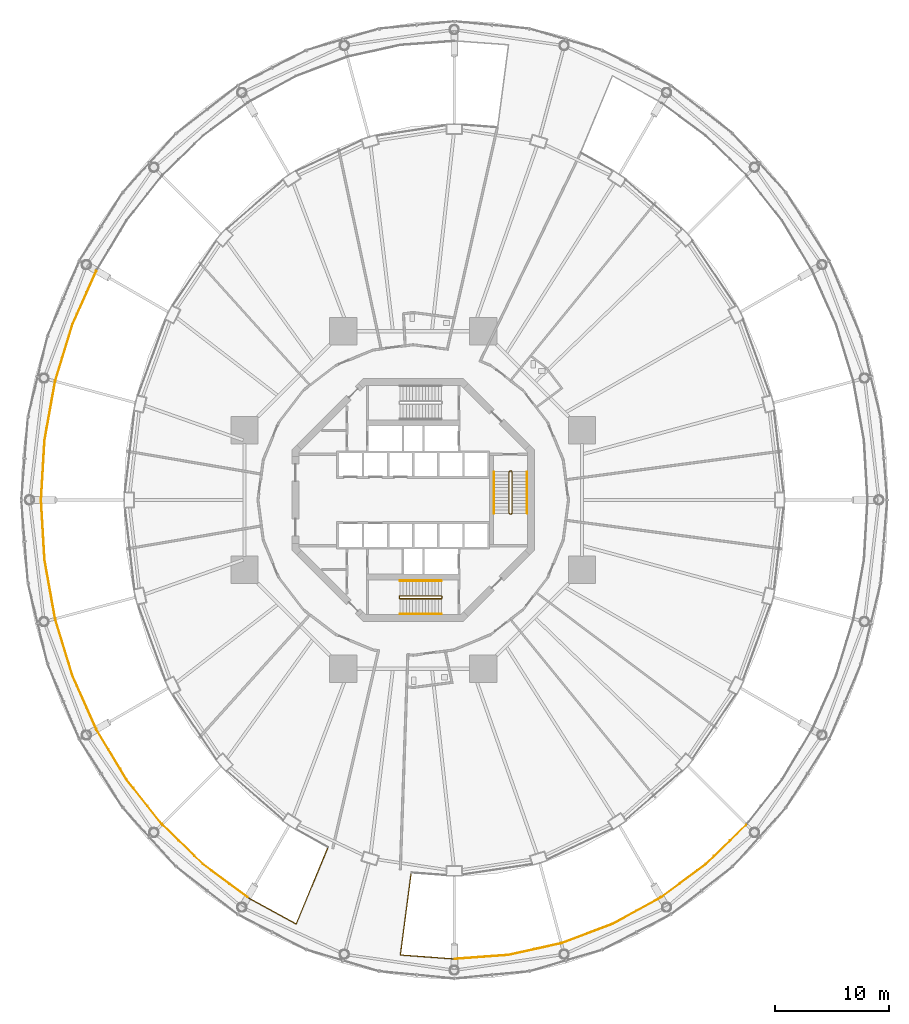
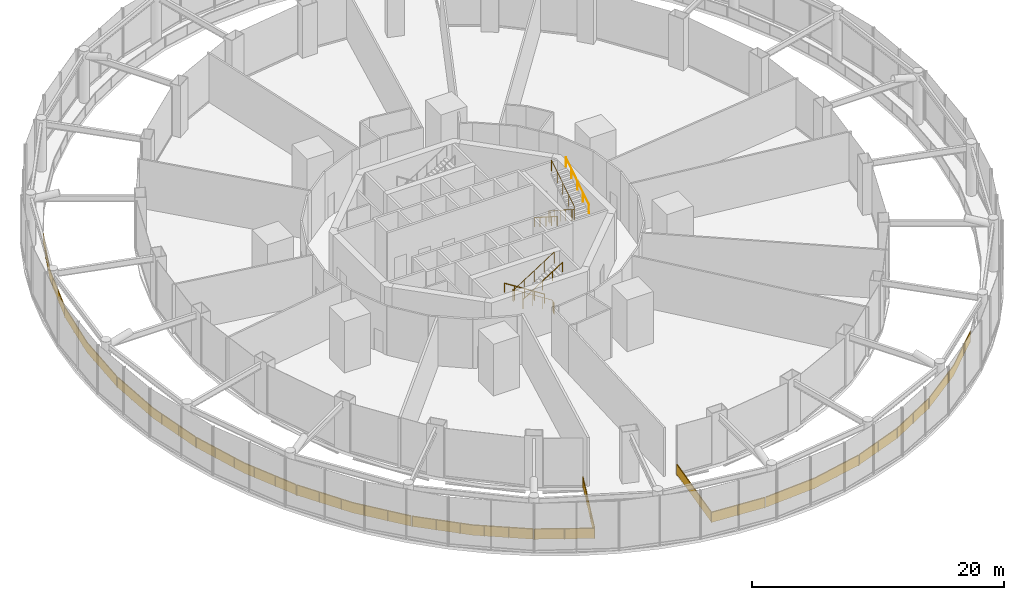
# One storey, part 50 of 52: 17 railings.
"""IFC4 building model written with IfcOpenShell, lengths in metres."""

from ifc_helpers import new_model, si_unit, direction, frame, origin, origin_2d, place, context, subcontext, project, spatial, polyline, rectangle, circle, outline, extrude, material, type_object, element, save


model = new_model("IFC4")

# Units and contexts
model_context = context("Model", 3, precision=1e-05, world=origin(), true_north=direction((0.0, 1.0)))
body_context = subcontext(model_context, "Body", "Model", "MODEL_VIEW")
ifc_project = project(units=[si_unit("LENGTHUNIT", "METRE"), si_unit("AREAUNIT", "SQUARE_METRE"), si_unit("VOLUMEUNIT", "CUBIC_METRE"), si_unit("PLANEANGLEUNIT", "RADIAN"), si_unit("MASSUNIT", "GRAM", prefix="KILO")], contexts=[model_context])

# Site, building, storey
site_placement = place(None, origin())
site = spatial("IfcSite", under=ifc_project, at=site_placement, CompositionType="ELEMENT")
building_placement = place(site_placement, origin())
building = spatial("IfcBuilding", under=site, at=building_placement, Name="Nagisa Residences", CompositionType="ELEMENT")
storey_placement = place(building_placement, frame((0.0, 0.0, 22.0)))
storey = spatial("IfcBuildingStorey", under=building, at=storey_placement, Name="L04", CompositionType="ELEMENT", Elevation=22.0)

# Railings
ifc_material_1 = material(Name="Stainless steel 316", Category="steel")
railing_type_1 = type_object("IfcRailingType", Name="ROOF GUARD 1100", PredefinedType="GUARDRAIL", material=ifc_material_1)
railing_1_placement = place(storey_placement, frame((-27.766357421875, 20.0634765625, 0.0)))
element("IfcRailing", 1, at=railing_1_placement, inside=storey, type_object=railing_type_1, Name="guard:L04:gal0-05", PredefinedType="GUARDRAIL", context=body_context, shape_type="SweptSolid", body=[
    extrude(outline(polyline([(-2.0546875, -4.6884765625), (0.02294921875, -0.01025390625), (-0.02294921875, 0.01025390625), (-2.1015625, -4.6708984375), (-3.6123046875, -9.61328125), (-3.564453125, -9.6279296875), (-2.0546875, -4.6884765625)])), frame((0.0, 0.0, 1.050048828125)), (0.0, 0.0, 1.0), 0.050048828125),
    extrude(outline(polyline([(-2.071533203125, -4.68212890625), (0.00634765625, -0.0029296875), (-0.00634765625, 0.0029296875), (-2.084716796875, -4.67724609375), (-3.594970703125, -9.61865234375), (-3.581787109375, -9.62255859375), (-2.071533203125, -4.68212890625)])), frame((0.0, 0.0, 0.06005859375)), (0.0, 0.0, 1.0), 0.989990234375),
    extrude(rectangle(XDim=0.0400390625, YDim=0.0400390625, at=origin_2d()), origin(), (0.0, 0.0, 1.0), 1.050048828125),
    extrude(rectangle(XDim=0.0400390625, YDim=0.0400390625, at=origin_2d()), frame((-0.8349609375, -1.88037109375, 0.0)), (0.0, 0.0, 1.0), 1.050048828125),
    extrude(rectangle(XDim=0.0400390625, YDim=0.0400390625, at=origin_2d()), frame((-1.669921875, -3.7607421875, 0.0)), (0.0, 0.0, 1.0), 1.050048828125),
    extrude(rectangle(XDim=0.0400390625, YDim=0.0400390625, at=origin_2d()), frame((-2.385498046875, -5.685546875, 0.0)), (0.0, 0.0, 1.0), 1.050048828125),
    extrude(rectangle(XDim=0.0400390625, YDim=0.0400390625, at=origin_2d()), frame((-2.987060546875, -7.653076171875, 0.0)), (0.0, 0.0, 1.0), 1.050048828125),
    extrude(rectangle(XDim=0.0400390625, YDim=0.0400390625, at=origin_2d()), frame((-3.58837890625, -9.62060546875, 0.0)), (0.0, 0.0, 1.0), 1.050048828125),
])
railing_2_placement = place(storey_placement, frame((-31.37353515625, 10.365234375, 0.0)))
element("IfcRailing", 2, at=railing_2_placement, inside=storey, type_object=railing_type_1, Name="guard:L04:gal0-06", PredefinedType="GUARDRAIL", context=body_context, shape_type="SweptSolid", body=[
    extrude(outline(polyline([(-0.891845703125, -5.12109375), (0.024658203125, -0.00439453125), (-0.024658203125, 0.00439453125), (-0.941650390625, -5.115234375), (-1.2490234375, -10.32373046875), (-1.19921875, -10.32666015625), (-0.891845703125, -5.12109375)])), frame((0.0, 0.0, 1.050048828125)), (0.0, 0.0, 1.0), 0.050048828125),
    extrude(outline(polyline([(-0.90966796875, -5.118896484375), (0.0068359375, -0.001220703125), (-0.0068359375, 0.001220703125), (-0.923828125, -5.117431640625), (-1.231201171875, -10.32470703125), (-1.217041015625, -10.32568359375), (-0.90966796875, -5.118896484375)])), frame((0.0, 0.0, 0.06005859375)), (0.0, 0.0, 1.0), 0.989990234375),
    extrude(rectangle(XDim=0.0400390625, YDim=0.0400390625, at=origin_2d()), origin(), (0.0, 0.0, 1.0), 1.050048828125),
    extrude(rectangle(XDim=0.0400390625, YDim=0.0400390625, at=origin_2d()), frame((-0.3671875, -2.050537109375, 0.0)), (0.0, 0.0, 1.0), 1.050048828125),
    extrude(rectangle(XDim=0.0400390625, YDim=0.0400390625, at=origin_2d()), frame((-0.734619140625, -4.10107421875, 0.0)), (0.0, 0.0, 1.0), 1.050048828125),
    extrude(rectangle(XDim=0.0400390625, YDim=0.0400390625, at=origin_2d()), frame((-0.978515625, -6.166259765625, 0.0)), (0.0, 0.0, 1.0), 1.050048828125),
    extrude(rectangle(XDim=0.0400390625, YDim=0.0400390625, at=origin_2d()), frame((-1.101318359375, -8.24560546875, 0.0)), (0.0, 0.0, 1.0), 1.050048828125),
    extrude(rectangle(XDim=0.0400390625, YDim=0.0400390625, at=origin_2d()), frame((-1.22412109375, -10.3251953125, 0.0)), (0.0, 0.0, 1.0), 1.050048828125),
])
railing_3_placement = place(storey_placement, frame((-32.59765625, -0.0400390625, 0.0)))
element("IfcRailing", 3, at=railing_3_placement, inside=storey, type_object=railing_type_1, Name="guard:L04:gal0-07", PredefinedType="GUARDRAIL", context=body_context, shape_type="SweptSolid", body=[
    extrude(outline(polyline([(0.332275390625, -5.2041015625), (0.02490234375, 0.00146484375), (-0.02490234375, -0.00146484375), (0.282470703125, -5.2099609375), (1.199462890625, -10.32958984375), (1.248779296875, -10.32080078125), (0.332275390625, -5.2041015625)])), frame((0.0, 0.0, 1.050048828125)), (0.0, 0.0, 1.0), 0.050048828125),
    extrude(outline(polyline([(0.314453125, -5.206298828125), (0.007080078125, 0.00048828125), (-0.007080078125, -0.00048828125), (0.30029296875, -5.207763671875), (1.21728515625, -10.326416015625), (1.23095703125, -10.323974609375), (0.314453125, -5.206298828125)])), frame((0.0, 0.0, 0.06005859375)), (0.0, 0.0, 1.0), 0.989990234375),
    extrude(rectangle(XDim=0.0400390625, YDim=0.0400390625, at=origin_2d()), origin(), (0.0, 0.0, 1.0), 1.050048828125),
    extrude(rectangle(XDim=0.0400390625, YDim=0.0400390625, at=origin_2d()), frame((0.122802734375, -2.07958984375, 0.0)), (0.0, 0.0, 1.0), 1.050048828125),
    extrude(rectangle(XDim=0.0400390625, YDim=0.0400390625, at=origin_2d()), frame((0.24560546875, -4.158935546875, 0.0)), (0.0, 0.0, 1.0), 1.050048828125),
    extrude(rectangle(XDim=0.0400390625, YDim=0.0400390625, at=origin_2d()), frame((0.489501953125, -6.22412109375, 0.0)), (0.0, 0.0, 1.0), 1.050048828125),
    extrude(rectangle(XDim=0.0400390625, YDim=0.0400390625, at=origin_2d()), frame((0.85693359375, -8.274658203125, 0.0)), (0.0, 0.0, 1.0), 1.050048828125),
    extrude(rectangle(XDim=0.0400390625, YDim=0.0400390625, at=origin_2d()), frame((1.22412109375, -10.3251953125, 0.0)), (0.0, 0.0, 1.0), 1.050048828125),
])
railing_4_placement = place(storey_placement, frame((-31.354736328125, -10.44287109375, 0.0)))
element("IfcRailing", 4, at=railing_4_placement, inside=storey, type_object=railing_type_1, Name="guard:L04:gal0-08", PredefinedType="GUARDRAIL", context=body_context, shape_type="SweptSolid", body=[
    extrude(outline(polyline([(1.53369140625, -4.93212890625), (0.02392578125, 0.00732421875), (-0.02392578125, -0.00732421875), (1.48681640625, -4.94970703125), (3.5654296875, -9.630859375), (3.611328125, -9.6103515625), (1.53369140625, -4.93212890625)])), frame((0.0, 0.0, 1.050048828125)), (0.0, 0.0, 1.0), 0.050048828125),
    extrude(outline(polyline([(1.516845703125, -4.9384765625), (0.006591796875, 0.001953125), (-0.006591796875, -0.001953125), (1.503662109375, -4.943359375), (3.58203125, -9.62353515625), (3.5947265625, -9.61767578125), (1.516845703125, -4.9384765625)])), frame((0.0, 0.0, 0.06005859375)), (0.0, 0.0, 1.0), 0.989990234375),
    extrude(rectangle(XDim=0.0400390625, YDim=0.0400390625, at=origin_2d()), origin(), (0.0, 0.0, 1.0), 1.050048828125),
    extrude(rectangle(XDim=0.0400390625, YDim=0.0400390625, at=origin_2d()), frame((0.601318359375, -1.967529296875, 0.0)), (0.0, 0.0, 1.0), 1.050048828125),
    extrude(rectangle(XDim=0.0400390625, YDim=0.0400390625, at=origin_2d()), frame((1.202880859375, -3.93505859375, 0.0)), (0.0, 0.0, 1.0), 1.050048828125),
    extrude(rectangle(XDim=0.0400390625, YDim=0.0400390625, at=origin_2d()), frame((1.91845703125, -5.85986328125, 0.0)), (0.0, 0.0, 1.0), 1.050048828125),
    extrude(rectangle(XDim=0.0400390625, YDim=0.0400390625, at=origin_2d()), frame((2.75341796875, -7.740234375, 0.0)), (0.0, 0.0, 1.0), 1.050048828125),
    extrude(rectangle(XDim=0.0400390625, YDim=0.0400390625, at=origin_2d()), frame((3.58837890625, -9.62060546875, 0.0)), (0.0, 0.0, 1.0), 1.050048828125),
])
railing_5_placement = place(storey_placement, frame((-27.7294921875, -20.13427734375, 0.0)))
element("IfcRailing", 5, at=railing_5_placement, inside=storey, type_object=railing_type_1, Name="guard:L04:gal0-09", PredefinedType="GUARDRAIL", context=body_context, shape_type="SweptSolid", body=[
    extrude(outline(polyline([(2.630615234375, -4.32373046875), (0.021484375, 0.012939453125), (-0.021484375, -0.012939453125), (2.589599609375, -4.35205078125), (5.68798828125, -8.275634765625), (5.72705078125, -8.244384765625), (2.630615234375, -4.32373046875)])), frame((0.0, 0.0, 1.050048828125)), (0.0, 0.0, 1.0), 0.050048828125),
    extrude(outline(polyline([(2.615966796875, -4.333984375), (0.006103515625, 0.003662109375), (-0.006103515625, -0.003662109375), (2.604248046875, -4.341796875), (5.701904296875, -8.264404296875), (5.713134765625, -8.255615234375), (2.615966796875, -4.333984375)])), frame((0.0, 0.0, 0.06005859375)), (0.0, 0.0, 1.0), 0.989990234375),
    extrude(rectangle(XDim=0.0400390625, YDim=0.0400390625, at=origin_2d()), origin(), (0.0, 0.0, 1.0), 1.050048828125),
    extrude(rectangle(XDim=0.0400390625, YDim=0.0400390625, at=origin_2d()), frame((1.037353515625, -1.72412109375, 0.0)), (0.0, 0.0, 1.0), 1.050048828125),
    extrude(rectangle(XDim=0.0400390625, YDim=0.0400390625, at=origin_2d()), frame((2.07470703125, -3.447998046875, 0.0)), (0.0, 0.0, 1.0), 1.050048828125),
    extrude(rectangle(XDim=0.0400390625, YDim=0.0400390625, at=origin_2d()), frame((3.21337890625, -5.10205078125, 0.0)), (0.0, 0.0, 1.0), 1.050048828125),
    extrude(rectangle(XDim=0.0400390625, YDim=0.0400390625, at=origin_2d()), frame((4.46044921875, -6.680908203125, 0.0)), (0.0, 0.0, 1.0), 1.050048828125),
    extrude(rectangle(XDim=0.0400390625, YDim=0.0400390625, at=origin_2d()), frame((5.70751953125, -8.260009765625, 0.0)), (0.0, 0.0, 1.0), 1.050048828125),
])
railing_6_placement = place(storey_placement, frame((-21.968505859375, -28.45361328125, 0.0)))
element("IfcRailing", 6, at=railing_6_placement, inside=storey, type_object=railing_type_1, Name="guard:L04:gal0-10", PredefinedType="GUARDRAIL", context=body_context, shape_type="SweptSolid", body=[
    extrude(outline(polyline([(3.547607421875, -3.420166015625), (0.017578125, 0.017822265625), (-0.017578125, -0.017822265625), (3.514892578125, -3.458251953125), (7.42138671875, -6.356689453125), (7.451171875, -6.316650390625), (3.547607421875, -3.420166015625)])), frame((0.0, 0.0, 1.050048828125)), (0.0, 0.0, 1.0), 0.050048828125),
    extrude(outline(polyline([(3.535888671875, -3.433837890625), (0.0048828125, 0.005126953125), (-0.0048828125, -0.005126953125), (3.526611328125, -3.444580078125), (7.43212890625, -6.34228515625), (7.4404296875, -6.3310546875), (3.535888671875, -3.433837890625)])), frame((0.0, 0.0, 0.06005859375)), (0.0, 0.0, 1.0), 0.989990234375),
    extrude(rectangle(XDim=0.0400390625, YDim=0.0400390625, at=origin_2d()), origin(), (0.0, 0.0, 1.0), 1.050048828125),
    extrude(rectangle(XDim=0.0400390625, YDim=0.0400390625, at=origin_2d()), frame((1.40283203125, -1.366455078125, 0.0)), (0.0, 0.0, 1.0), 1.050048828125),
    extrude(rectangle(XDim=0.0400390625, YDim=0.0400390625, at=origin_2d()), frame((2.805908203125, -2.732666015625, 0.0)), (0.0, 0.0, 1.0), 1.050048828125),
    extrude(rectangle(XDim=0.0400390625, YDim=0.0400390625, at=origin_2d()), frame((4.290771484375, -4.002685546875, 0.0)), (0.0, 0.0, 1.0), 1.050048828125),
    extrude(rectangle(XDim=0.0400390625, YDim=0.0400390625, at=origin_2d()), frame((5.863525390625, -5.169677734375, 0.0)), (0.0, 0.0, 1.0), 1.050048828125),
    extrude(rectangle(XDim=0.0400390625, YDim=0.0400390625, at=origin_2d()), frame((7.436279296875, -6.336669921875, 0.0)), (0.0, 0.0, 1.0), 1.050048828125),
])
railing_7_placement = place(storey_placement, frame((-14.46484375, -34.83349609375, 0.0)))
element("IfcRailing", 7, at=railing_7_placement, inside=storey, type_object=railing_type_1, Name="guard:L04:gal0-11", PredefinedType="GUARDRAIL", context=body_context, shape_type="SweptSolid", body=[
    extrude(outline(polyline([(4.19921875, -2.27099609375), (0.011962890625, 0.02197265625), (-0.011962890625, -0.02197265625), (4.22412109375, -2.341796875), (6.974853515625, 4.299072265625), (6.928466796875, 4.318115234375), (4.19921875, -2.27099609375)])), frame((0.0, 0.0, 1.050048828125)), (0.0, 0.0, 1.0), 0.050048828125),
    extrude(outline(polyline([(4.208251953125, -2.296630859375), (0.00341796875, 0.006103515625), (-0.00341796875, -0.006103515625), (4.215087890625, -2.316162109375), (6.9580078125, 4.305908203125), (6.9453125, 4.311279296875), (4.208251953125, -2.296630859375)])), frame((0.0, 0.0, 0.06005859375)), (0.0, 0.0, 1.0), 0.989990234375),
    extrude(rectangle(XDim=0.0400390625, YDim=0.0400390625, at=origin_2d()), origin(), (0.0, 0.0, 1.0), 1.050048828125),
    extrude(rectangle(XDim=0.0400390625, YDim=0.0400390625, at=origin_2d()), frame((2.098388671875, -1.149169921875, 0.0)), (0.0, 0.0, 1.0), 1.050048828125),
    extrude(rectangle(XDim=0.0400390625, YDim=0.0400390625, at=origin_2d()), frame((4.19677734375, -2.298095703125, 0.0)), (0.0, 0.0, 1.0), 1.050048828125),
    extrude(rectangle(XDim=0.0400390625, YDim=0.0400390625, at=origin_2d()), frame((5.12060546875, -0.11181640625, 0.0)), (0.0, 0.0, 1.0), 1.050048828125),
    extrude(rectangle(XDim=0.0400390625, YDim=0.0400390625, at=origin_2d()), frame((6.0361328125, 2.098388671875, 0.0)), (0.0, 0.0, 1.0), 1.050048828125),
    extrude(rectangle(XDim=0.0400390625, YDim=0.0400390625, at=origin_2d()), frame((6.95166015625, 4.30859375, 0.0)), (0.0, 0.0, 1.0), 1.050048828125),
])
railing_8_placement = place(storey_placement, frame((-0.1904296875, -32.75732421875, 0.0)))
element("IfcRailing", 8, at=railing_8_placement, inside=storey, type_object=railing_type_1, Name="guard:L04:gal1-00", PredefinedType="GUARDRAIL", context=body_context, shape_type="SweptSolid", body=[
    extrude(outline(polyline([(-0.90625, -7.075927734375), (0.02490234375, -0.003173828125), (-0.02490234375, 0.003173828125), (-0.962890625, -7.121826171875), (3.748779296875, -7.464599609375), (3.752197265625, -7.414794921875), (-0.90625, -7.075927734375)])), frame((0.0, 0.0, 1.050048828125)), (0.0, 0.0, 1.0), 0.050048828125),
    extrude(outline(polyline([(-0.9267578125, -7.092529296875), (0.0068359375, -0.0009765625), (-0.0068359375, 0.0009765625), (-0.9423828125, -7.105224609375), (3.75, -7.44677734375), (3.7509765625, -7.4326171875), (-0.9267578125, -7.092529296875)])), frame((0.0, 0.0, 0.06005859375)), (0.0, 0.0, 1.0), 0.989990234375),
    extrude(rectangle(XDim=0.0400390625, YDim=0.0400390625, at=origin_2d()), origin(), (0.0, 0.0, 1.0), 1.050048828125),
    extrude(rectangle(XDim=0.0400390625, YDim=0.0400390625, at=origin_2d()), frame((-0.3095703125, -2.351318359375, 0.0)), (0.0, 0.0, 1.0), 1.050048828125),
    extrude(rectangle(XDim=0.0400390625, YDim=0.0400390625, at=origin_2d()), frame((-0.619140625, -4.702392578125, 0.0)), (0.0, 0.0, 1.0), 1.050048828125),
    extrude(rectangle(XDim=0.0400390625, YDim=0.0400390625, at=origin_2d()), frame((-0.9287109375, -7.0537109375, 0.0)), (0.0, 0.0, 1.0), 1.050048828125),
    extrude(rectangle(XDim=0.0400390625, YDim=0.0400390625, at=origin_2d()), frame((1.38525390625, -7.267578125, 0.0)), (0.0, 0.0, 1.0), 1.050048828125),
    extrude(rectangle(XDim=0.0400390625, YDim=0.0400390625, at=origin_2d()), frame((3.75048828125, -7.439697265625, 0.0)), (0.0, 0.0, 1.0), 1.050048828125),
])
railing_9_placement = place(storey_placement, frame((3.639892578125, -40.197021484375, 0.0)))
element("IfcRailing", 9, at=railing_9_placement, inside=storey, type_object=railing_type_1, Name="guard:L04:gal1-01", PredefinedType="GUARDRAIL", context=body_context, shape_type="SweptSolid", body=[
    extrude(outline(polyline([(4.681396484375, 0.36572265625), (-0.001708984375, 0.02490234375), (0.001708984375, -0.02490234375), (4.688720703125, 0.31591796875), (9.295654296875, 1.333740234375), (9.284912109375, 1.382568359375), (4.681396484375, 0.36572265625)])), frame((0.0, 0.0, 1.050048828125)), (0.0, 0.0, 1.0), 0.050048828125),
    extrude(outline(polyline([(4.68408203125, 0.34765625), (-0.00048828125, 0.007080078125), (0.00048828125, -0.007080078125), (4.68603515625, 0.333984375), (9.291748046875, 1.351318359375), (9.288818359375, 1.364990234375), (4.68408203125, 0.34765625)])), frame((0.0, 0.0, 0.06005859375)), (0.0, 0.0, 1.0), 0.989990234375),
    extrude(rectangle(XDim=0.0400390625, YDim=0.0400390625, at=origin_2d()), origin(), (0.0, 0.0, 1.0), 1.050048828125),
    extrude(rectangle(XDim=0.0400390625, YDim=0.0400390625, at=origin_2d()), frame((2.34716796875, 0.170654296875, 0.0)), (0.0, 0.0, 1.0), 1.050048828125),
    extrude(rectangle(XDim=0.0400390625, YDim=0.0400390625, at=origin_2d()), frame((4.6943359375, 0.3427734375, 0.0)), (0.0, 0.0, 1.0), 1.050048828125),
    extrude(rectangle(XDim=0.0400390625, YDim=0.0400390625, at=origin_2d()), frame((6.9921875, 0.8505859375, 0.0)), (0.0, 0.0, 1.0), 1.050048828125),
    extrude(rectangle(XDim=0.0400390625, YDim=0.0400390625, at=origin_2d()), frame((9.290283203125, 1.358154296875, 0.0)), (0.0, 0.0, 1.0), 1.050048828125),
])
railing_10_placement = place(storey_placement, frame((13.006591796875, -38.816162109375, 0.0)))
element("IfcRailing", 10, at=railing_10_placement, inside=storey, type_object=railing_type_1, Name="guard:L04:gal1-02", PredefinedType="GUARDRAIL", context=body_context, shape_type="SweptSolid", body=[
    extrude(outline(polyline([(4.43603515625, 1.698974609375), (-0.0087890625, 0.0234375), (0.0087890625, -0.0234375), (4.45703125, 1.653564453125), (8.670166015625, 3.960693359375), (8.646240234375, 4.004638671875), (4.43603515625, 1.698974609375)])), frame((0.0, 0.0, 1.050048828125)), (0.0, 0.0, 1.0), 0.050048828125),
    extrude(outline(polyline([(4.443603515625, 1.6826171875), (-0.00244140625, 0.006591796875), (0.00244140625, -0.006591796875), (4.449462890625, 1.669921875), (8.66162109375, 3.9765625), (8.65478515625, 3.98876953125), (4.443603515625, 1.6826171875)])), frame((0.0, 0.0, 0.06005859375)), (0.0, 0.0, 1.0), 0.989990234375),
    extrude(rectangle(XDim=0.0400390625, YDim=0.0400390625, at=origin_2d()), origin(), (0.0, 0.0, 1.0), 1.050048828125),
    extrude(rectangle(XDim=0.0400390625, YDim=0.0400390625, at=origin_2d()), frame((2.23486328125, 0.842529296875, 0.0)), (0.0, 0.0, 1.0), 1.050048828125),
    extrude(rectangle(XDim=0.0400390625, YDim=0.0400390625, at=origin_2d()), frame((4.468505859375, 1.688232421875, 0.0)), (0.0, 0.0, 1.0), 1.050048828125),
    extrude(rectangle(XDim=0.0400390625, YDim=0.0400390625, at=origin_2d()), frame((6.563232421875, 2.83544921875, 0.0)), (0.0, 0.0, 1.0), 1.050048828125),
    extrude(rectangle(XDim=0.0400390625, YDim=0.0400390625, at=origin_2d()), frame((8.658203125, 3.982666015625, 0.0)), (0.0, 0.0, 1.0), 1.050048828125),
])
railing_11_placement = place(storey_placement, frame((21.732177734375, -34.790283203125, 0.0)))
element("IfcRailing", 11, at=railing_11_placement, inside=storey, type_object=railing_type_1, Name="guard:L04:gal1-03", PredefinedType="GUARDRAIL", context=body_context, shape_type="SweptSolid", body=[
    extrude(outline(polyline([(3.888671875, 2.91650390625), (-0.014892578125, 0.02001953125), (0.014892578125, -0.02001953125), (3.92138671875, 2.87841796875), (7.4541015625, 6.31884765625), (7.4189453125, 6.3544921875), (3.888671875, 2.91650390625)])), frame((0.0, 0.0, 1.050048828125)), (0.0, 0.0, 1.0), 0.050048828125),
    extrude(outline(polyline([(3.900390625, 2.90283203125), (-0.004150390625, 0.005615234375), (0.004150390625, -0.005615234375), (3.90966796875, 2.89208984375), (7.44140625, 6.33154296875), (7.431640625, 6.341796875), (3.900390625, 2.90283203125)])), frame((0.0, 0.0, 0.06005859375)), (0.0, 0.0, 1.0), 0.989990234375),
    extrude(rectangle(XDim=0.0400390625, YDim=0.0400390625, at=origin_2d()), origin(), (0.0, 0.0, 1.0), 1.050048828125),
    extrude(rectangle(XDim=0.0400390625, YDim=0.0400390625, at=origin_2d()), frame((1.57275390625, 1.1669921875, 0.0)), (0.0, 0.0, 1.0), 1.050048828125),
    extrude(rectangle(XDim=0.0400390625, YDim=0.0400390625, at=origin_2d()), frame((3.1455078125, 2.333984375, 0.0)), (0.0, 0.0, 1.0), 1.050048828125),
    extrude(rectangle(XDim=0.0400390625, YDim=0.0400390625, at=origin_2d()), frame((4.630615234375, 3.60400390625, 0.0)), (0.0, 0.0, 1.0), 1.050048828125),
    extrude(rectangle(XDim=0.0400390625, YDim=0.0400390625, at=origin_2d()), frame((6.033447265625, 4.97021484375, 0.0)), (0.0, 0.0, 1.0), 1.050048828125),
    extrude(rectangle(XDim=0.0400390625, YDim=0.0400390625, at=origin_2d()), frame((7.4365234375, 6.336669921875, 0.0)), (0.0, 0.0, 1.0), 1.050048828125),
])
ifc_material_2 = material(Name="Stainless steel", Category="steel")
railing_type_2 = type_object("IfcRailingType", Name="Stair guard 1100", PredefinedType="GUARDRAIL", material=ifc_material_2)
railing_12_placement = place(storey_placement, frame((8.599609375, 2.52490234375, 0.0)))
element("IfcRailing", 12, at=railing_12_placement, inside=storey, type_object=railing_type_2, Name="L04 ST-E stair guard 1", PredefinedType="GUARDRAIL", context=body_context, shape_type="SweptSolid", body=[
    extrude(circle(Radius=0.02392578125, at=origin_2d()), frame((0.0, 0.0, 1.076171875), z_axis=(-1.0, 0.0, 0.0), x_axis=(0.0, -1.0, 0.0)), (0.0, 0.0, 1.0), 0.14990234375),
    extrude(circle(Radius=0.02392578125, at=origin_2d()), frame((-0.14990234375, 0.0, 1.076171875), z_axis=(-0.26077077684, -0.25949872427, 0.929870428634), x_axis=(0.705375805398, -0.708833529934, 0.0)), (0.0, 0.0, 1.0), 0.19189453125),
    extrude(circle(Radius=0.02392578125, at=origin_2d()), frame((-0.199951171875, -0.0498046875, 1.25439453125), z_axis=(0.0, -0.843127859045, 0.537713132908), x_axis=(1.0, 0.0, 0.0)), (0.0, 0.0, 1.0), 4.3173828125),
    extrude(circle(Radius=0.02392578125, at=origin_2d()), frame((-0.199951171875, -3.68994140625, 3.576171875), z_axis=(0.707106781187, -0.707106781187, 0.0), x_axis=(0.707106781187, 0.707106781187, 0.0)), (0.0, 0.0, 1.0), 0.07080078125),
    extrude(circle(Radius=0.02392578125, at=origin_2d()), frame((-0.14990234375, -3.739990234375, 3.576171875), z_axis=(1.0, 0.0, 0.0), x_axis=(0.0, 1.0, 0.0)), (0.0, 0.0, 1.0), 0.14990234375),
    extrude(circle(Radius=0.02392578125, at=origin_2d()), frame((0.0, -3.739990234375, 3.576171875), z_axis=(0.260684529273, 0.260684529273, 0.929562882432), x_axis=(-0.707106781187, 0.707106781187, 0.0)), (0.0, 0.0, 1.0), 0.19189453125),
    extrude(circle(Radius=0.02392578125, at=origin_2d()), frame((0.050048828125, -3.68994140625, 3.75439453125), z_axis=(0.0, 0.843127859045, 0.537713132908), x_axis=(-1.0, 0.0, 0.0)), (0.0, 0.0, 1.0), 4.3173828125),
    extrude(circle(Radius=0.02099609375, at=origin_2d()), origin(), (0.0, 0.0, 1.0), 1.052001953125),
    extrude(circle(Radius=0.02099609375, at=origin_2d()), frame((-0.14990234375, 0.0, 0.0)), (0.0, 0.0, 1.0), 1.052001953125),
    extrude(circle(Radius=0.02099609375, at=origin_2d()), frame((-0.199951171875, -0.0498046875, 0.178466796875)), (0.0, 0.0, 1.0), 1.052001953125),
    extrude(circle(Radius=0.02099609375, at=origin_2d()), frame((-0.199951171875, -0.9599609375, 0.7587890625)), (0.0, 0.0, 1.0), 1.052001953125),
    extrude(circle(Radius=0.02099609375, at=origin_2d()), frame((-0.199951171875, -1.869873046875, 1.33935546875)), (0.0, 0.0, 1.0), 1.052001953125),
    extrude(circle(Radius=0.02099609375, at=origin_2d()), frame((-0.199951171875, -2.77978515625, 1.919677734375)), (0.0, 0.0, 1.0), 1.052001953125),
    extrude(circle(Radius=0.02099609375, at=origin_2d()), frame((-0.199951171875, -3.68994140625, 2.5)), (0.0, 0.0, 1.0), 1.052001953125),
    extrude(circle(Radius=0.02099609375, at=origin_2d()), frame((-0.14990234375, -3.739990234375, 2.5)), (0.0, 0.0, 1.0), 1.052001953125),
    extrude(circle(Radius=0.02099609375, at=origin_2d()), frame((0.0, -3.739990234375, 2.5)), (0.0, 0.0, 1.0), 1.052001953125),
    extrude(circle(Radius=0.02099609375, at=origin_2d()), frame((0.050048828125, -3.68994140625, 2.678466796875)), (0.0, 0.0, 1.0), 1.052001953125),
    extrude(circle(Radius=0.02099609375, at=origin_2d()), frame((0.050048828125, -2.77978515625, 3.2587890625)), (0.0, 0.0, 1.0), 1.052001953125),
    extrude(circle(Radius=0.02099609375, at=origin_2d()), frame((0.050048828125, -1.869873046875, 3.83935546875)), (0.0, 0.0, 1.0), 1.052001953125),
    extrude(circle(Radius=0.02099609375, at=origin_2d()), frame((0.050048828125, -0.9599609375, 4.419677734375)), (0.0, 0.0, 1.0), 1.052001953125),
    extrude(circle(Radius=0.02099609375, at=origin_2d()), frame((0.050048828125, -0.0498046875, 5.0)), (0.0, 0.0, 1.0), 1.052001953125),
])
railing_13_placement = place(storey_placement, frame((2.52490234375, -8.599609375, 0.0)))
element("IfcRailing", 13, at=railing_13_placement, inside=storey, type_object=railing_type_2, Name="L04 ST-S stair guard 1", PredefinedType="GUARDRAIL", context=body_context, shape_type="SweptSolid", body=[
    extrude(circle(Radius=0.02392578125, at=origin_2d()), frame((0.0, 0.0, 1.076171875), z_axis=(0.0, 1.0, 0.0), x_axis=(-1.0, 0.0, 0.0)), (0.0, 0.0, 1.0), 0.14990234375),
    extrude(circle(Radius=0.02392578125, at=origin_2d()), frame((0.0, 0.14990234375, 1.076171875), z_axis=(-0.25949872427, 0.26077077684, 0.929870428634), x_axis=(-0.708833529934, -0.705375805398, 0.0)), (0.0, 0.0, 1.0), 0.19189453125),
    extrude(circle(Radius=0.02392578125, at=origin_2d()), frame((-0.0498046875, 0.199951171875, 1.25439453125), z_axis=(-0.843127859045, 0.0, 0.537713132908), x_axis=(0.0, -1.0, 0.0)), (0.0, 0.0, 1.0), 4.3173828125),
    extrude(circle(Radius=0.02392578125, at=origin_2d()), frame((-3.68994140625, 0.199951171875, 3.576171875), z_axis=(-0.707106781187, -0.707106781187, 0.0), x_axis=(0.707106781187, -0.707106781187, 0.0)), (0.0, 0.0, 1.0), 0.07080078125),
    extrude(circle(Radius=0.02392578125, at=origin_2d()), frame((-3.739990234375, 0.14990234375, 3.576171875), z_axis=(0.0, -1.0, 0.0), x_axis=(1.0, 0.0, 0.0)), (0.0, 0.0, 1.0), 0.14990234375),
    extrude(circle(Radius=0.02392578125, at=origin_2d()), frame((-3.739990234375, 0.0, 3.576171875), z_axis=(0.260684529273, -0.260684529273, 0.929562882432), x_axis=(0.707106781187, 0.707106781187, 0.0)), (0.0, 0.0, 1.0), 0.19189453125),
    extrude(circle(Radius=0.02392578125, at=origin_2d()), frame((-3.68994140625, -0.050048828125, 3.75439453125), z_axis=(0.843127859045, 0.0, 0.537713132908), x_axis=(0.0, 1.0, 0.0)), (0.0, 0.0, 1.0), 4.3173828125),
    extrude(circle(Radius=0.02099609375, at=origin_2d()), origin(), (0.0, 0.0, 1.0), 1.052001953125),
    extrude(circle(Radius=0.02099609375, at=origin_2d()), frame((0.0, 0.14990234375, 0.0)), (0.0, 0.0, 1.0), 1.052001953125),
    extrude(circle(Radius=0.02099609375, at=origin_2d()), frame((-0.0498046875, 0.199951171875, 0.178466796875)), (0.0, 0.0, 1.0), 1.052001953125),
    extrude(circle(Radius=0.02099609375, at=origin_2d()), frame((-0.9599609375, 0.199951171875, 0.7587890625)), (0.0, 0.0, 1.0), 1.052001953125),
    extrude(circle(Radius=0.02099609375, at=origin_2d()), frame((-1.869873046875, 0.199951171875, 1.33935546875)), (0.0, 0.0, 1.0), 1.052001953125),
    extrude(circle(Radius=0.02099609375, at=origin_2d()), frame((-2.77978515625, 0.199951171875, 1.919677734375)), (0.0, 0.0, 1.0), 1.052001953125),
    extrude(circle(Radius=0.02099609375, at=origin_2d()), frame((-3.68994140625, 0.199951171875, 2.5)), (0.0, 0.0, 1.0), 1.052001953125),
    extrude(circle(Radius=0.02099609375, at=origin_2d()), frame((-3.739990234375, 0.14990234375, 2.5)), (0.0, 0.0, 1.0), 1.052001953125),
    extrude(circle(Radius=0.02099609375, at=origin_2d()), frame((-3.739990234375, 0.0, 2.5)), (0.0, 0.0, 1.0), 1.052001953125),
    extrude(circle(Radius=0.02099609375, at=origin_2d()), frame((-3.68994140625, -0.050048828125, 2.678466796875)), (0.0, 0.0, 1.0), 1.052001953125),
    extrude(circle(Radius=0.02099609375, at=origin_2d()), frame((-2.77978515625, -0.050048828125, 3.2587890625)), (0.0, 0.0, 1.0), 1.052001953125),
    extrude(circle(Radius=0.02099609375, at=origin_2d()), frame((-1.869873046875, -0.050048828125, 3.83935546875)), (0.0, 0.0, 1.0), 1.052001953125),
    extrude(circle(Radius=0.02099609375, at=origin_2d()), frame((-0.9599609375, -0.050048828125, 4.419677734375)), (0.0, 0.0, 1.0), 1.052001953125),
    extrude(circle(Radius=0.02099609375, at=origin_2d()), frame((-0.0498046875, -0.050048828125, 5.0)), (0.0, 0.0, 1.0), 1.052001953125),
])
ifc_material_3 = material(Name="Stainless steel", Category="steel")
railing_type_3 = type_object("IfcRailingType", Name="Stair handrail 900", PredefinedType="HANDRAIL", material=ifc_material_3)
railing_14_placement = place(storey_placement, frame((7.07470703125, 2.47509765625, 0.178466796875)))
element("IfcRailing", 14, at=railing_14_placement, inside=storey, type_object=railing_type_3, Name="L04 ST-E stair handrail 1", PredefinedType="HANDRAIL", context=body_context, shape_type="SweptSolid", body=[
    extrude(circle(Radius=0.02392578125, at=origin_2d()), frame((0.0, 0.0, 0.8759765625), z_axis=(0.0, -0.843127859045, 0.537713132908), x_axis=(1.0, 0.0, 0.0)), (0.0, 0.0, 1.0), 4.3173828125),
    extrude(circle(Radius=0.02099609375, at=origin_2d()), origin(), (0.0, 0.0, 1.0), 0.851806640625),
    extrude(circle(Radius=0.02099609375, at=origin_2d()), frame((0.0, -0.91015625, 0.580322265625)), (0.0, 0.0, 1.0), 0.851806640625),
    extrude(circle(Radius=0.02099609375, at=origin_2d()), frame((0.0, -1.820068359375, 1.16064453125)), (0.0, 0.0, 1.0), 0.851806640625),
    extrude(circle(Radius=0.02099609375, at=origin_2d()), frame((0.0, -2.72998046875, 1.7412109375)), (0.0, 0.0, 1.0), 0.851806640625),
    extrude(circle(Radius=0.02099609375, at=origin_2d()), frame((0.0, -3.64013671875, 2.321533203125)), (0.0, 0.0, 1.0), 0.851806640625),
])
railing_15_placement = place(storey_placement, frame((9.974609375, -1.1650390625, 2.678466796875)))
element("IfcRailing", 15, at=railing_15_placement, inside=storey, type_object=railing_type_3, Name="L04 ST-E stair handrail 2", PredefinedType="HANDRAIL", context=body_context, shape_type="SweptSolid", body=[
    extrude(circle(Radius=0.02392578125, at=origin_2d()), frame((0.0, 0.0, 0.8759765625), z_axis=(0.0, 0.843127859045, 0.537713132908), x_axis=(-1.0, 0.0, 0.0)), (0.0, 0.0, 1.0), 4.3173828125),
    extrude(circle(Radius=0.02099609375, at=origin_2d()), origin(), (0.0, 0.0, 1.0), 0.851806640625),
    extrude(circle(Radius=0.02099609375, at=origin_2d()), frame((0.0, 0.91015625, 0.580322265625)), (0.0, 0.0, 1.0), 0.851806640625),
    extrude(circle(Radius=0.02099609375, at=origin_2d()), frame((0.0, 1.820068359375, 1.16064453125)), (0.0, 0.0, 1.0), 0.851806640625),
    extrude(circle(Radius=0.02099609375, at=origin_2d()), frame((0.0, 2.72998046875, 1.7412109375)), (0.0, 0.0, 1.0), 0.851806640625),
    extrude(circle(Radius=0.02099609375, at=origin_2d()), frame((0.0, 3.64013671875, 2.321533203125)), (0.0, 0.0, 1.0), 0.851806640625),
])
railing_16_placement = place(storey_placement, frame((2.47509765625, -7.07470703125, 0.178466796875)))
element("IfcRailing", 16, at=railing_16_placement, inside=storey, type_object=railing_type_3, Name="L04 ST-S stair handrail 1", PredefinedType="HANDRAIL", context=body_context, shape_type="SweptSolid", body=[
    extrude(circle(Radius=0.02392578125, at=origin_2d()), frame((0.0, 0.0, 0.8759765625), z_axis=(-0.843127859045, 0.0, 0.537713132908), x_axis=(0.0, -1.0, 0.0)), (0.0, 0.0, 1.0), 4.3173828125),
    extrude(circle(Radius=0.02099609375, at=origin_2d()), origin(), (0.0, 0.0, 1.0), 0.851806640625),
    extrude(circle(Radius=0.02099609375, at=origin_2d()), frame((-0.91015625, 0.0, 0.580322265625)), (0.0, 0.0, 1.0), 0.851806640625),
    extrude(circle(Radius=0.02099609375, at=origin_2d()), frame((-1.820068359375, 0.0, 1.16064453125)), (0.0, 0.0, 1.0), 0.851806640625),
    extrude(circle(Radius=0.02099609375, at=origin_2d()), frame((-2.72998046875, 0.0, 1.7412109375)), (0.0, 0.0, 1.0), 0.851806640625),
    extrude(circle(Radius=0.02099609375, at=origin_2d()), frame((-3.64013671875, 0.0, 2.321533203125)), (0.0, 0.0, 1.0), 0.851806640625),
])
railing_17_placement = place(storey_placement, frame((-1.1650390625, -9.974609375, 2.678466796875)))
element("IfcRailing", 17, at=railing_17_placement, inside=storey, type_object=railing_type_3, Name="L04 ST-S stair handrail 2", PredefinedType="HANDRAIL", context=body_context, shape_type="SweptSolid", body=[
    extrude(circle(Radius=0.02392578125, at=origin_2d()), frame((0.0, 0.0, 0.8759765625), z_axis=(0.843127859045, 0.0, 0.537713132908), x_axis=(0.0, 1.0, 0.0)), (0.0, 0.0, 1.0), 4.3173828125),
    extrude(circle(Radius=0.02099609375, at=origin_2d()), origin(), (0.0, 0.0, 1.0), 0.851806640625),
    extrude(circle(Radius=0.02099609375, at=origin_2d()), frame((0.91015625, 0.0, 0.580322265625)), (0.0, 0.0, 1.0), 0.851806640625),
    extrude(circle(Radius=0.02099609375, at=origin_2d()), frame((1.820068359375, 0.0, 1.16064453125)), (0.0, 0.0, 1.0), 0.851806640625),
    extrude(circle(Radius=0.02099609375, at=origin_2d()), frame((2.72998046875, 0.0, 1.7412109375)), (0.0, 0.0, 1.0), 0.851806640625),
    extrude(circle(Radius=0.02099609375, at=origin_2d()), frame((3.64013671875, 0.0, 2.321533203125)), (0.0, 0.0, 1.0), 0.851806640625),
])

save(model, "model.ifc")
